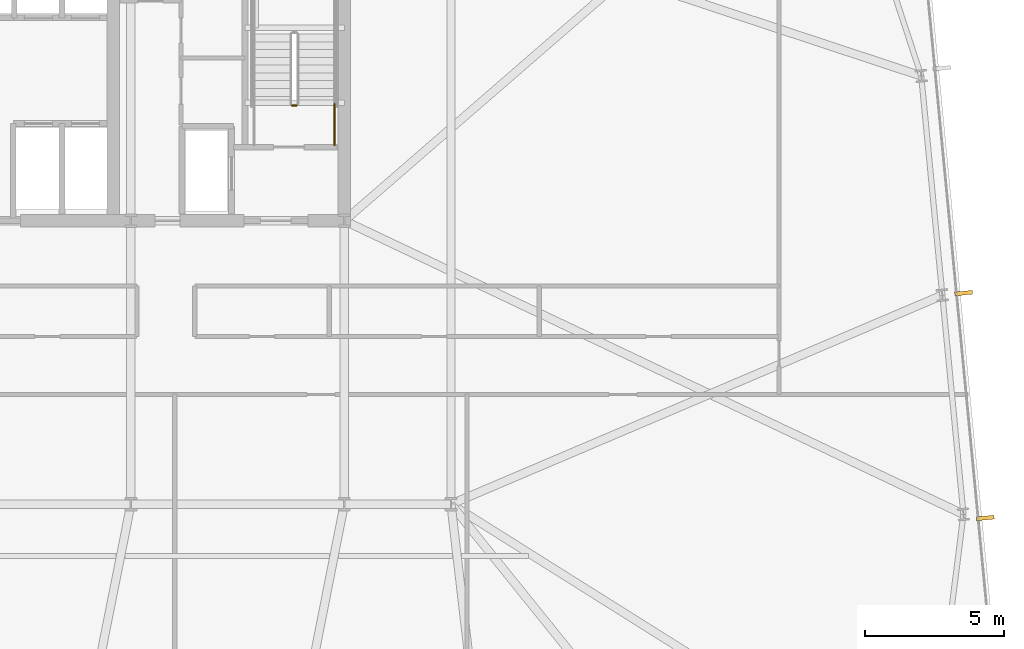
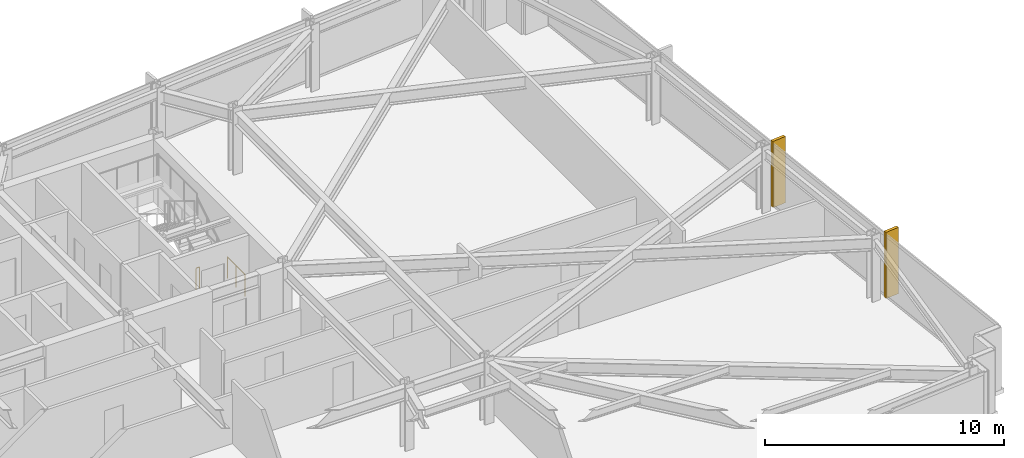
# One storey, part 30 of 32: 2 railings, 2 shading devices.
"""IFC4 building model written with IfcOpenShell, lengths in metres."""

from ifc_helpers import new_model, si_unit, direction, frame, origin, origin_2d, place, context, subcontext, project, spatial, rectangle, circle, extrude, material, layer, layer_set, type_object, element, save


model = new_model("IFC4")

# Units and contexts
model_context = context("Model", 3, precision=1e-05, world=origin(), true_north=direction((0.0, 1.0)))
body_context = subcontext(model_context, "Body", "Model", "MODEL_VIEW")
ifc_project = project(units=[si_unit("LENGTHUNIT", "METRE"), si_unit("AREAUNIT", "SQUARE_METRE"), si_unit("VOLUMEUNIT", "CUBIC_METRE"), si_unit("PLANEANGLEUNIT", "RADIAN"), si_unit("MASSUNIT", "GRAM", prefix="KILO")], contexts=[model_context])

# Site, building, storey
site_placement = place(None, origin())
site = spatial("IfcSite", under=ifc_project, at=site_placement, CompositionType="ELEMENT")
building_placement = place(site_placement, origin())
building = spatial("IfcBuilding", under=site, at=building_placement, Name="Yelkora Congress Tower", CompositionType="ELEMENT")
storey_placement = place(building_placement, frame((0.0, 0.0, 116.89990234375)))
storey = spatial("IfcBuildingStorey", under=building, at=storey_placement, Name="L31", CompositionType="ELEMENT", Elevation=116.89990234375)

# Railings
ifc_material_1 = material(Name="Painted galvanised steel stair well guard with vertical infill", Category="steel")
ifc_layer_1 = layer(ifc_material_1, 0.06005859375)
ifc_layer_set_1 = layer_set([ifc_layer_1], Name="Painted galvanised steel stair well guard with vertical infill")
railing_type = type_object("IfcRailingType", Name="RAIL-STAIR-GUARD-1120", PredefinedType="GUARDRAIL", material=ifc_layer_set_1)
railing_1_placement = place(storey_placement, frame((52.0400390625, 39.550048828125, 0.0)))
element("IfcRailing", 1, at=railing_1_placement, inside=storey, type_object=railing_type, Name="ST-02 L31 Stair Well Guardrail 7", PredefinedType="GUARDRAIL", context=body_context, shape_type="SweptSolid", body=[
    extrude(circle(Radius=0.02392578125, at=origin_2d()), frame((0.0, 0.0, 1.09619140625), z_axis=(-1.0, 0.0, 0.0), x_axis=(0.0, -1.0, 0.0)), (0.0, 0.0, 1.0), 0.16015625),
    extrude(circle(Radius=0.02099609375, at=origin_2d()), origin(), (0.0, 0.0, 1.0), 1.072021484375),
    extrude(circle(Radius=0.02099609375, at=origin_2d()), frame((-0.16015625, 0.0, 0.0)), (0.0, 0.0, 1.0), 1.072021484375),
])
railing_2_placement = place(storey_placement, frame((53.409912109375, 38.1201171875, 0.0)))
element("IfcRailing", 2, at=railing_2_placement, inside=storey, type_object=railing_type, Name="ST-02 L31 Stair Well Guardrail 8", PredefinedType="GUARDRAIL", context=body_context, shape_type="SweptSolid", body=[
    extrude(circle(Radius=0.02392578125, at=origin_2d()), frame((0.0, 0.0, 1.09619140625), z_axis=(0.0, 1.0, 0.0), x_axis=(-1.0, 0.0, 0.0)), (0.0, 0.0, 1.0), 1.47998046875),
    extrude(circle(Radius=0.02099609375, at=origin_2d()), origin(), (0.0, 0.0, 1.0), 1.072021484375),
    extrude(circle(Radius=0.02099609375, at=origin_2d()), frame((0.0, 0.739990234375, 0.0)), (0.0, 0.0, 1.0), 1.072021484375),
    extrude(circle(Radius=0.02099609375, at=origin_2d()), frame((0.0, 1.47998046875, 0.0)), (0.0, 0.0, 1.0), 1.072021484375),
])

# Shading devices
ifc_material_2 = material(Name="Champagne anodised aluminium", Category="aluminium")
ifc_layer_2 = layer(ifc_material_2, 3.39990234375)
ifc_layer_set_2 = layer_set([ifc_layer_2], Name="Champagne anodised aluminium")
shading_device_type = type_object("IfcShadingDeviceType", Name="SHD-FIN-ALU-640", PredefinedType="USERDEFINED", material=ifc_layer_set_2)
for number, where, z_axis, x_axis, name in (
    (3, (76.048095703125, 32.7958984375, -0.02978515625), (0.0, 0.0, 1.0), (0.09584575252, -0.995396198367, 0.0), "L31 Vertical Anodised Solar Fin 15-2"),
    (4, (76.827392578125, 24.703125, -0.02978515625), (0.0, 0.0, 1.0), (0.09584575252, -0.995396198367, 0.0), "L31 Vertical Anodised Solar Fin 15-3"),
):
    element("IfcShadingDevice", number, at=place(storey_placement, frame(where, z_axis=z_axis, x_axis=x_axis)), inside=storey, type_object=shading_device_type, Name=name, ObjectType="FIN", PredefinedType="USERDEFINED", context=body_context, shape_type="SweptSolid", body=[
        extrude(rectangle(XDim=0.139892578125, YDim=0.639892578125, at=origin_2d()), origin(), (0.0, 0.0, 1.0), 3.3798828125),
    ])

save(model, "model.ifc")
